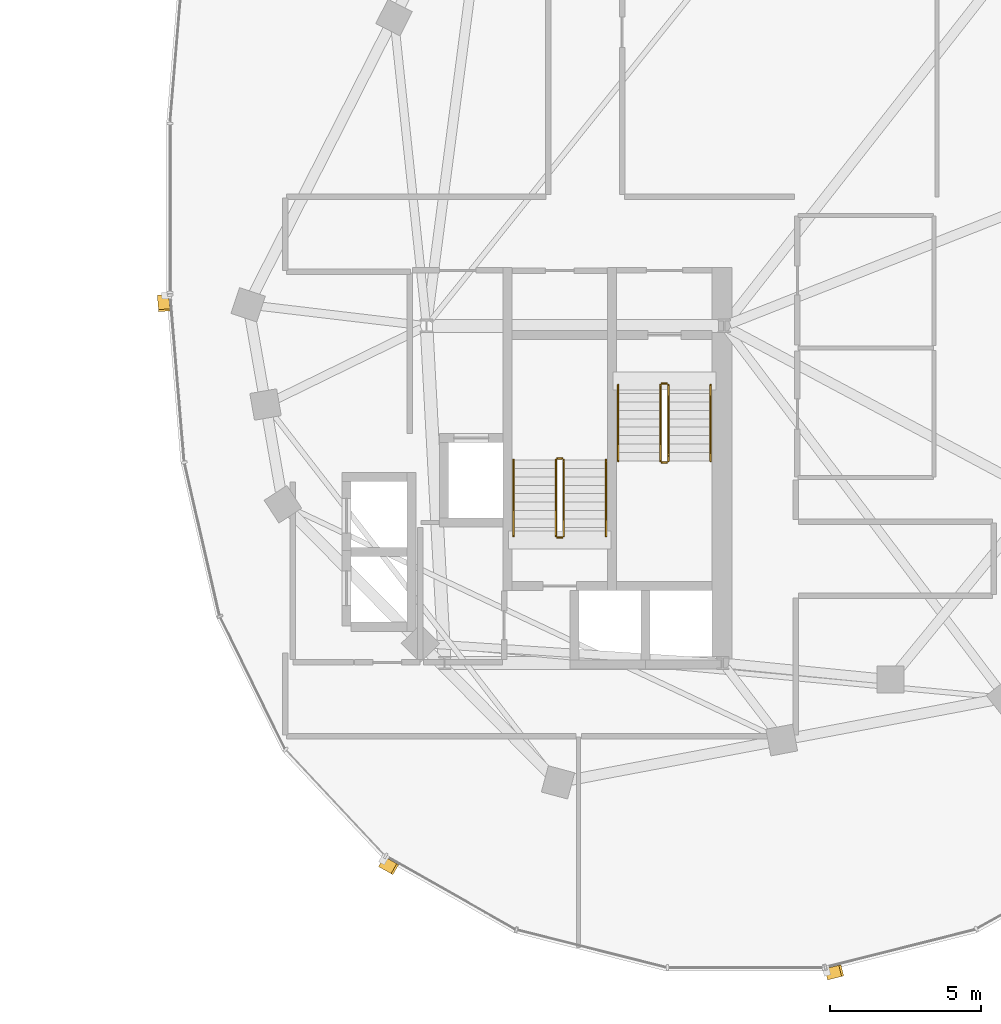
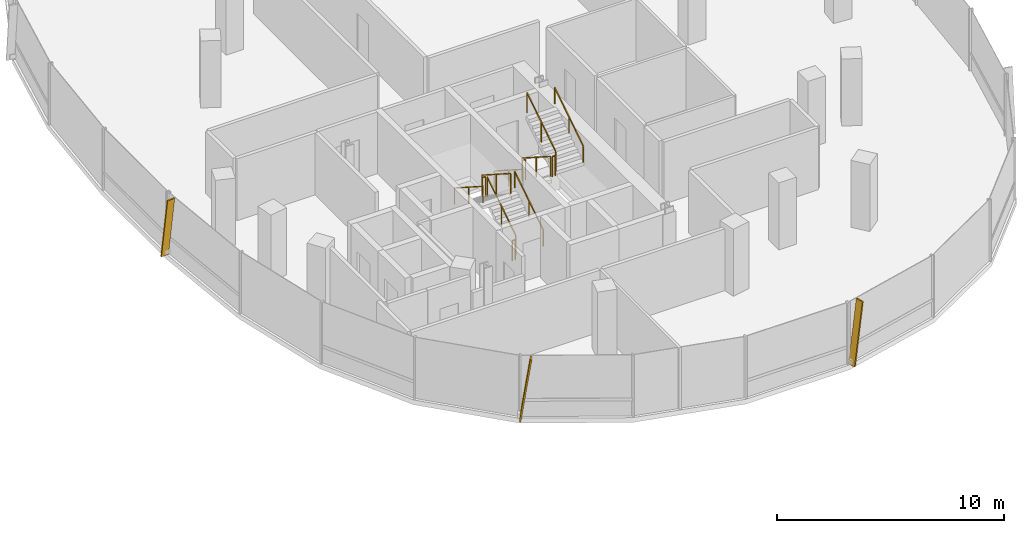
# One storey, part 23 of 24: 12 railings, 3 shading devices.
"""IFC4 building model written with IfcOpenShell, lengths in metres."""

from ifc_helpers import new_model, si_unit, direction, frame, origin, origin_2d, place, context, subcontext, project, spatial, rectangle, extrude, material, material_profile, profile_set, type_object, element, save


model = new_model("IFC4")

# Units and contexts
model_context = context("Model", 3, precision=1e-05, world=origin(), true_north=direction((0.0, 1.0)))
body_context = subcontext(model_context, "Body", "Model", "MODEL_VIEW")
ifc_project = project(units=[si_unit("LENGTHUNIT", "METRE"), si_unit("AREAUNIT", "SQUARE_METRE"), si_unit("VOLUMEUNIT", "CUBIC_METRE"), si_unit("PLANEANGLEUNIT", "RADIAN"), si_unit("MASSUNIT", "GRAM", prefix="KILO"), si_unit("THERMODYNAMICTEMPERATUREUNIT", "KELVIN"), si_unit("POWERUNIT", "WATT")], contexts=[model_context])

# Site, building, storey
site_placement = place(None, origin())
site = spatial("IfcSite", under=ifc_project, at=site_placement, CompositionType="ELEMENT")
building_placement = place(site_placement, origin())
building = spatial("IfcBuilding", under=site, at=building_placement, Name="Cundina Bronze Exchange", CompositionType="ELEMENT")
storey_placement = place(building_placement, frame((0.0, 0.0, 231.39990234375)))
storey = spatial("IfcBuildingStorey", under=building, at=storey_placement, Name="L61", CompositionType="ELEMENT", Elevation=231.39990234375)

# Railings
ifc_material_1 = material(Name="Steel ASTM A36 Painted", Category="steel")
railing_type_1 = type_object("IfcRailingType", Name="RLG-HND-900", PredefinedType="HANDRAIL", material=ifc_material_1)
railing_1_placement = place(storey_placement, frame((27.7900390625, -5.85009765625, 0.18017578125)))
element("IfcRailing", 1, at=railing_1_placement, inside=storey, type_object=railing_type_1, Name="L61 ST-E1 stair handrail 1", PredefinedType="HANDRAIL", context=body_context, shape_type="SweptSolid", body=[
    extrude(rectangle(XDim=0.048095703125, YDim=0.048095703125, at=origin_2d()), frame((0.0, 0.0, 0.8759765625), z_axis=(0.0, -0.841199657755, 0.540724639528), x_axis=(1.0, 0.0, 0.0)), (0.0, 0.0, 1.0), 2.995849609375),
    extrude(rectangle(XDim=0.0419921875, YDim=0.0419921875, at=origin_2d()), origin(), (0.0, 0.0, 1.0), 0.851806640625),
    extrude(rectangle(XDim=0.0419921875, YDim=0.0419921875, at=origin_2d()), frame((0.0, -1.260009765625, 0.81005859375)), (0.0, 0.0, 1.0), 0.851806640625),
    extrude(rectangle(XDim=0.0419921875, YDim=0.0419921875, at=origin_2d()), frame((0.0, -2.52001953125, 1.619873046875)), (0.0, 0.0, 1.0), 0.851806640625),
])
railing_2_placement = place(storey_placement, frame((30.85009765625, -8.3701171875, 1.97998046875)))
element("IfcRailing", 2, at=railing_2_placement, inside=storey, type_object=railing_type_1, Name="L61 ST-E1 stair handrail 2", PredefinedType="HANDRAIL", context=body_context, shape_type="SweptSolid", body=[
    extrude(rectangle(XDim=0.048095703125, YDim=0.048095703125, at=origin_2d()), frame((0.0, 0.0, 0.8759765625), z_axis=(0.0, 0.841162588446, 0.540782303519), x_axis=(-1.0, 0.0, 0.0)), (0.0, 0.0, 1.0), 2.995849609375),
    extrude(rectangle(XDim=0.0419921875, YDim=0.0419921875, at=origin_2d()), origin(), (0.0, 0.0, 1.0), 0.851806640625),
    extrude(rectangle(XDim=0.0419921875, YDim=0.0419921875, at=origin_2d()), frame((0.0, 1.260009765625, 0.81005859375)), (0.0, 0.0, 1.0), 0.851806640625),
    extrude(rectangle(XDim=0.0419921875, YDim=0.0419921875, at=origin_2d()), frame((0.0, 2.52001953125, 1.6201171875)), (0.0, 0.0, 1.0), 0.851806640625),
])
railing_3_placement = place(storey_placement, frame((27.389892578125, -10.85009765625, 0.18017578125)))
element("IfcRailing", 3, at=railing_3_placement, inside=storey, type_object=railing_type_1, Name="L61 ST-E2 stair handrail 1", PredefinedType="HANDRAIL", context=body_context, shape_type="SweptSolid", body=[
    extrude(rectangle(XDim=0.048095703125, YDim=0.048095703125, at=origin_2d()), frame((0.0, 0.0, 0.8759765625), z_axis=(0.0, 0.841199657755, 0.540724639528), x_axis=(-1.0, 0.0, 0.0)), (0.0, 0.0, 1.0), 2.995849609375),
    extrude(rectangle(XDim=0.0419921875, YDim=0.0419921875, at=origin_2d()), origin(), (0.0, 0.0, 1.0), 0.851806640625),
    extrude(rectangle(XDim=0.0419921875, YDim=0.0419921875, at=origin_2d()), frame((0.0, 1.260009765625, 0.81005859375)), (0.0, 0.0, 1.0), 0.851806640625),
    extrude(rectangle(XDim=0.0419921875, YDim=0.0419921875, at=origin_2d()), frame((0.0, 2.52001953125, 1.619873046875)), (0.0, 0.0, 1.0), 0.851806640625),
])
railing_4_placement = place(storey_placement, frame((24.330078125, -8.330078125, 1.97998046875)))
element("IfcRailing", 4, at=railing_4_placement, inside=storey, type_object=railing_type_1, Name="L61 ST-E2 stair handrail 2", PredefinedType="HANDRAIL", context=body_context, shape_type="SweptSolid", body=[
    extrude(rectangle(XDim=0.048095703125, YDim=0.048095703125, at=origin_2d()), frame((0.0, 0.0, 0.8759765625), z_axis=(0.0, -0.841162588446, 0.540782303519), x_axis=(1.0, 0.0, 0.0)), (0.0, 0.0, 1.0), 2.995849609375),
    extrude(rectangle(XDim=0.0419921875, YDim=0.0419921875, at=origin_2d()), origin(), (0.0, 0.0, 1.0), 0.851806640625),
    extrude(rectangle(XDim=0.0419921875, YDim=0.0419921875, at=origin_2d()), frame((0.0, -1.260009765625, 0.81005859375)), (0.0, 0.0, 1.0), 0.851806640625),
    extrude(rectangle(XDim=0.0419921875, YDim=0.0419921875, at=origin_2d()), frame((0.0, -2.52001953125, 1.6201171875)), (0.0, 0.0, 1.0), 0.851806640625),
])
railing_type_2 = type_object("IfcRailingType", Name="RLG-STG-1100", PredefinedType="GUARDRAIL", material=ifc_material_1)
railing_5_placement = place(storey_placement, frame((29.18994140625, -5.85009765625, 0.18017578125)))
element("IfcRailing", 5, at=railing_5_placement, inside=storey, type_object=railing_type_2, Name="L61 ST-E1 stair guard 1", PredefinedType="GUARDRAIL", context=body_context, shape_type="SweptSolid", body=[
    extrude(rectangle(XDim=0.048095703125, YDim=0.048095703125, at=origin_2d()), frame((0.0, 0.0, 1.076171875), z_axis=(0.0, -0.841199657755, 0.540724639528), x_axis=(1.0, 0.0, 0.0)), (0.0, 0.0, 1.0), 2.995849609375),
    extrude(rectangle(XDim=0.0419921875, YDim=0.0419921875, at=origin_2d()), origin(), (0.0, 0.0, 1.0), 1.052001953125),
    extrude(rectangle(XDim=0.0419921875, YDim=0.0419921875, at=origin_2d()), frame((0.0, -1.260009765625, 0.81005859375)), (0.0, 0.0, 1.0), 1.052001953125),
    extrude(rectangle(XDim=0.0419921875, YDim=0.0419921875, at=origin_2d()), frame((0.0, -2.52001953125, 1.619873046875)), (0.0, 0.0, 1.0), 1.052001953125),
])
railing_6_placement = place(storey_placement, frame((29.239990234375, -8.419921875, 1.800048828125)))
element("IfcRailing", 6, at=railing_6_placement, inside=storey, type_object=railing_type_2, Name="L61 ST-E1 stair guard 2", PredefinedType="GUARDRAIL", context=body_context, shape_type="SweptSolid", body=[
    extrude(rectangle(XDim=0.048095703125, YDim=0.048095703125, at=origin_2d()), frame((0.0, 0.0, 1.076171875), z_axis=(1.0, 0.0, 0.0), x_axis=(0.0, 1.0, 0.0)), (0.0, 0.0, 1.0), 0.159912109375),
    extrude(rectangle(XDim=0.0419921875, YDim=0.0419921875, at=origin_2d()), origin(), (0.0, 0.0, 1.0), 1.052001953125),
    extrude(rectangle(XDim=0.0419921875, YDim=0.0419921875, at=origin_2d()), frame((0.159912109375, 0.0, 0.0)), (0.0, 0.0, 1.0), 1.052001953125),
])
railing_7_placement = place(storey_placement, frame((29.449951171875, -8.3701171875, 1.97998046875)))
element("IfcRailing", 7, at=railing_7_placement, inside=storey, type_object=railing_type_2, Name="L61 ST-E1 stair guard 3", PredefinedType="GUARDRAIL", context=body_context, shape_type="SweptSolid", body=[
    extrude(rectangle(XDim=0.048095703125, YDim=0.048095703125, at=origin_2d()), frame((0.0, 0.0, 1.076171875), z_axis=(0.0, 0.841162588446, 0.540782303519), x_axis=(-1.0, 0.0, 0.0)), (0.0, 0.0, 1.0), 2.995849609375),
    extrude(rectangle(XDim=0.0419921875, YDim=0.0419921875, at=origin_2d()), origin(), (0.0, 0.0, 1.0), 1.052001953125),
    extrude(rectangle(XDim=0.0419921875, YDim=0.0419921875, at=origin_2d()), frame((0.0, 1.260009765625, 0.81005859375)), (0.0, 0.0, 1.0), 1.052001953125),
    extrude(rectangle(XDim=0.0419921875, YDim=0.0419921875, at=origin_2d()), frame((0.0, 2.52001953125, 1.6201171875)), (0.0, 0.0, 1.0), 1.052001953125),
])
railing_8_placement = place(storey_placement, frame((29.239990234375, -5.800048828125, 0.0)))
element("IfcRailing", 8, at=railing_8_placement, inside=storey, type_object=railing_type_2, Name="L61 ST-E1 stair guard 4", PredefinedType="GUARDRAIL", context=body_context, shape_type="SweptSolid", body=[
    extrude(rectangle(XDim=0.048095703125, YDim=0.048095703125, at=origin_2d()), frame((0.0, 0.0, 1.076171875), z_axis=(1.0, 0.0, 0.0), x_axis=(0.0, 1.0, 0.0)), (0.0, 0.0, 1.0), 0.159912109375),
    extrude(rectangle(XDim=0.0419921875, YDim=0.0419921875, at=origin_2d()), origin(), (0.0, 0.0, 1.0), 1.052001953125),
    extrude(rectangle(XDim=0.0419921875, YDim=0.0419921875, at=origin_2d()), frame((0.159912109375, 0.0, 0.0)), (0.0, 0.0, 1.0), 1.052001953125),
])
railing_9_placement = place(storey_placement, frame((25.989990234375, -10.85009765625, 0.18017578125)))
element("IfcRailing", 9, at=railing_9_placement, inside=storey, type_object=railing_type_2, Name="L61 ST-E2 stair guard 1", PredefinedType="GUARDRAIL", context=body_context, shape_type="SweptSolid", body=[
    extrude(rectangle(XDim=0.048095703125, YDim=0.048095703125, at=origin_2d()), frame((0.0, 0.0, 1.076171875), z_axis=(0.0, 0.841199657755, 0.540724639528), x_axis=(-1.0, 0.0, 0.0)), (0.0, 0.0, 1.0), 2.995849609375),
    extrude(rectangle(XDim=0.0419921875, YDim=0.0419921875, at=origin_2d()), origin(), (0.0, 0.0, 1.0), 1.052001953125),
    extrude(rectangle(XDim=0.0419921875, YDim=0.0419921875, at=origin_2d()), frame((0.0, 1.260009765625, 0.81005859375)), (0.0, 0.0, 1.0), 1.052001953125),
    extrude(rectangle(XDim=0.0419921875, YDim=0.0419921875, at=origin_2d()), frame((0.0, 2.52001953125, 1.619873046875)), (0.0, 0.0, 1.0), 1.052001953125),
])
railing_10_placement = place(storey_placement, frame((25.93994140625, -8.280029296875, 1.800048828125)))
element("IfcRailing", 10, at=railing_10_placement, inside=storey, type_object=railing_type_2, Name="L61 ST-E2 stair guard 2", PredefinedType="GUARDRAIL", context=body_context, shape_type="SweptSolid", body=[
    extrude(rectangle(XDim=0.048095703125, YDim=0.048095703125, at=origin_2d()), frame((0.0, 0.0, 1.076171875), z_axis=(-1.0, 0.0, 0.0), x_axis=(0.0, -1.0, 0.0)), (0.0, 0.0, 1.0), 0.159912109375),
    extrude(rectangle(XDim=0.0419921875, YDim=0.0419921875, at=origin_2d()), origin(), (0.0, 0.0, 1.0), 1.052001953125),
    extrude(rectangle(XDim=0.0419921875, YDim=0.0419921875, at=origin_2d()), frame((-0.159912109375, 0.0, 0.0)), (0.0, 0.0, 1.0), 1.052001953125),
])
railing_11_placement = place(storey_placement, frame((25.72998046875, -8.330078125, 1.97998046875)))
element("IfcRailing", 11, at=railing_11_placement, inside=storey, type_object=railing_type_2, Name="L61 ST-E2 stair guard 3", PredefinedType="GUARDRAIL", context=body_context, shape_type="SweptSolid", body=[
    extrude(rectangle(XDim=0.048095703125, YDim=0.048095703125, at=origin_2d()), frame((0.0, 0.0, 1.076171875), z_axis=(0.0, -0.841162588446, 0.540782303519), x_axis=(1.0, 0.0, 0.0)), (0.0, 0.0, 1.0), 2.995849609375),
    extrude(rectangle(XDim=0.0419921875, YDim=0.0419921875, at=origin_2d()), origin(), (0.0, 0.0, 1.0), 1.052001953125),
    extrude(rectangle(XDim=0.0419921875, YDim=0.0419921875, at=origin_2d()), frame((0.0, -1.260009765625, 0.81005859375)), (0.0, 0.0, 1.0), 1.052001953125),
    extrude(rectangle(XDim=0.0419921875, YDim=0.0419921875, at=origin_2d()), frame((0.0, -2.52001953125, 1.6201171875)), (0.0, 0.0, 1.0), 1.052001953125),
])
railing_12_placement = place(storey_placement, frame((25.93994140625, -10.89990234375, 0.0)))
element("IfcRailing", 12, at=railing_12_placement, inside=storey, type_object=railing_type_2, Name="L61 ST-E2 stair guard 4", PredefinedType="GUARDRAIL", context=body_context, shape_type="SweptSolid", body=[
    extrude(rectangle(XDim=0.048095703125, YDim=0.048095703125, at=origin_2d()), frame((0.0, 0.0, 1.076171875), z_axis=(-1.0, 0.0, 0.0), x_axis=(0.0, -1.0, 0.0)), (0.0, 0.0, 1.0), 0.159912109375),
    extrude(rectangle(XDim=0.0419921875, YDim=0.0419921875, at=origin_2d()), origin(), (0.0, 0.0, 1.0), 1.052001953125),
    extrude(rectangle(XDim=0.0419921875, YDim=0.0419921875, at=origin_2d()), frame((-0.159912109375, 0.0, 0.0)), (0.0, 0.0, 1.0), 1.052001953125),
])

# Shading devices
ifc_material_2 = material(Name="Anodised Bronze Aluminium 6063-T6", Category="aluminium")
ifc_material_profile = material_profile(ifc_material_2, rectangle(XDim=0.070068359375, YDim=0.3798828125, at=origin_2d()), Name="FIN70X380", Category="aluminium")
ifc_profile_set = profile_set([ifc_material_profile], Name="Anodised Bronze Aluminium 6063-T6")
shading_device_type = type_object("IfcShadingDeviceType", Name="SHD-FIN-BRZ380", PredefinedType="USERDEFINED", material=ifc_profile_set)
for number, where, z_axis, x_axis, name in (
    (13, (12.735595703125, -2.90283203125, 0.02001953125), (0.01207830578, -0.144276835504, 0.989463647269), (-0.082545368101, 0.986014488469, 0.144781527598), "L61 Diagonal Bronze Solar Fin 1"),
    (14, (19.984375, -21.635498046875, 0.02001953125), (0.125937624803, -0.071511949523, 0.989457303644), (-0.860417819246, 0.488576434203, 0.144824874471), "L61 Diagonal Bronze Solar Fin 5"),
    (15, (34.705810546875, -25.344482421875, 0.02001953125), (0.140446187226, 0.035350901871, 0.989457013837), (-0.959528297059, -0.241517347975, 0.144826854449), "L61 Diagonal Bronze Solar Fin 1"),
):
    element("IfcShadingDevice", number, at=place(storey_placement, frame(where, z_axis=z_axis, x_axis=x_axis)), inside=storey, type_object=shading_device_type, Name=name, ObjectType="FIN", PredefinedType="USERDEFINED", context=body_context, shape_type="SweptSolid", body=[
        extrude(rectangle(XDim=0.070068359375, YDim=0.3798828125, at=origin_2d()), origin(), (0.0, 0.0, 1.0), 3.31494140625),
    ])

save(model, "model.ifc")
